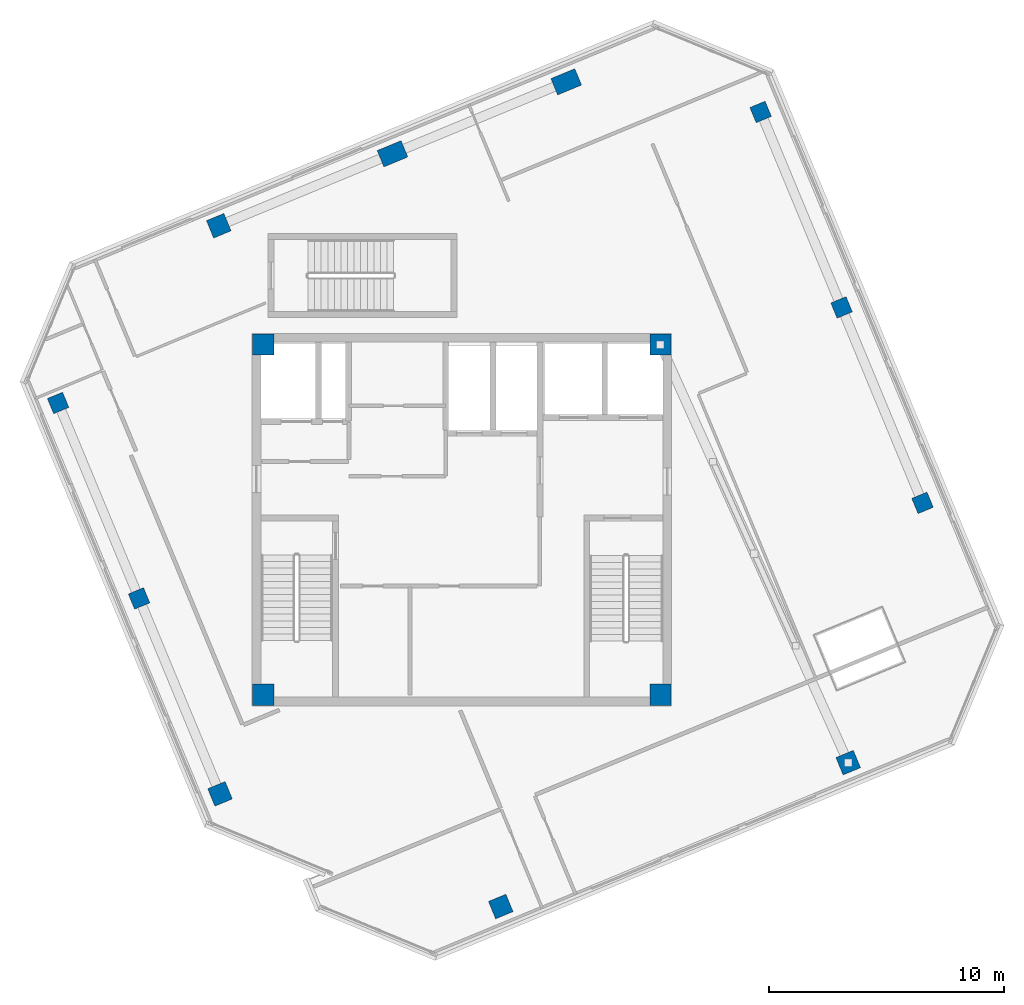
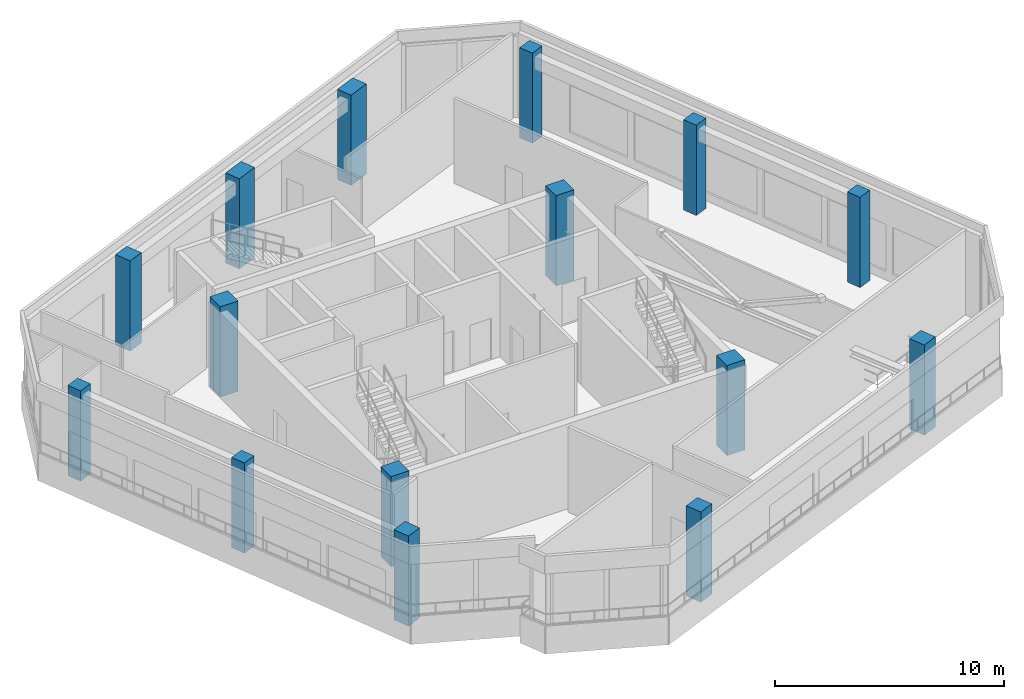
# One storey, part 1 of 17: 15 columns.
"""IFC4 building model written with IfcOpenShell, lengths in metres."""

import ifcopenshell
import ifcopenshell.guid

model = None  # the IFC model being written
_history = None  # IfcOwnerHistory: only IFC2X3 demands one
_inside = {}  # id of a spatial element -> (the spatial element, [elements in it])
_under = {}  # id of a project, library or spatial element -> (it, [spatial elements below it])
_declared = {}  # id of a project -> (the project, [libraries it declares])
_typed = {}  # id of a type object -> (the type object, [elements of that type])
_made_of = {}  # id of a material, layer set ... -> (it, [elements and type objects made of it])


def new_model(schema):
    """Start an empty IFC model of exactly this schema.

    Asked for "IFC4X3", IfcOpenShell would pick the latest addendum, in which some entities
    have other attributes; the version numbers below select the first issue.
    IFC2X3 requires an IfcOwnerHistory on every rooted entity: one is made here for all.
    """
    global model, _history
    if schema == "IFC4X3":
        model = ifcopenshell.file(schema_version=(4, 3, 0, 0))
    else:
        model = ifcopenshell.file(schema=schema)
    _inside.clear()
    _under.clear()
    _declared.clear()
    _typed.clear()
    _made_of.clear()
    _history = None
    if model.schema == "IFC2X3":
        org = make("IfcOrganization", Name="unknown")
        user = make(
            "IfcPersonAndOrganization",
            ThePerson=make("IfcPerson", FamilyName="unknown"),
            TheOrganization=org,
        )
        app = make(
            "IfcApplication",
            ApplicationDeveloper=org,
            Version="unknown",
            ApplicationFullName="unknown",
            ApplicationIdentifier="unknown",
        )
        _history = make(
            "IfcOwnerHistory",
            OwningUser=user,
            OwningApplication=app,
            ChangeAction="ADDED",
            CreationDate=0,
        )
    return model


def make(cls, **values):
    """One entity of the class cls with the attributes given. An attribute that is None is left unset."""
    return model.create_entity(
        cls, **{name: value for name, value in values.items() if value is not None}
    )


def rooted(cls, **values):
    """An entity with a GlobalId (a new one), such as an element, a storey or a relation."""
    return make(cls, GlobalId=ifcopenshell.guid.new(), OwnerHistory=_history, **values)


def si_unit(unit_type, name, prefix=None):
    """IfcSIUnit, for example si_unit("LENGTHUNIT", "METRE", prefix="MILLI")."""
    return make("IfcSIUnit", UnitType=unit_type, Prefix=prefix, Name=name)


def assignment(units):
    """IfcUnitAssignment: the units of a project."""
    return None if units is None else make("IfcUnitAssignment", Units=units)


def point(xyz):
    """IfcCartesianPoint."""
    return None if xyz is None else make("IfcCartesianPoint", Coordinates=xyz)


def direction(xyz):
    """IfcDirection."""
    return None if xyz is None else make("IfcDirection", DirectionRatios=xyz)


def frame(location, z_axis=None, x_axis=None):
    """IfcAxis2Placement3D, a coordinate frame: its origin and axes. An axis left out is left unset."""
    return make(
        "IfcAxis2Placement3D",
        Location=point(location),
        Axis=direction(z_axis),
        RefDirection=direction(x_axis),
    )


def frame_2d(location, x_axis=None):
    """IfcAxis2Placement2D, a coordinate frame in the plane: its origin and x axis."""
    return make(
        "IfcAxis2Placement2D", Location=point(location), RefDirection=direction(x_axis)
    )


def origin():
    """The frame at (0, 0, 0) with its axes left unset."""
    return frame((0.0, 0.0, 0.0))


def origin_2d():
    """The frame at (0, 0) in the plane with its x axis left unset."""
    return frame_2d((0.0, 0.0))


def place(relative_to, where):
    """IfcLocalPlacement: puts the frame where relative to a parent placement (None: the world)."""
    return make(
        "IfcLocalPlacement", PlacementRelTo=relative_to, RelativePlacement=where
    )


def context(
    kind, dimensions, precision=None, world=None, true_north=None, identifier=None
):
    """IfcGeometricRepresentationContext, for example the 3D "Model" context."""
    return make(
        "IfcGeometricRepresentationContext",
        ContextIdentifier=identifier,
        ContextType=kind,
        CoordinateSpaceDimension=dimensions,
        Precision=precision,
        WorldCoordinateSystem=world,
        TrueNorth=true_north,
    )


def subcontext(parent, identifier, kind, view, scale=None):
    """IfcGeometricRepresentationSubContext, for example "Body" below "Model"."""
    return make(
        "IfcGeometricRepresentationSubContext",
        ContextIdentifier=identifier,
        ContextType=kind,
        ParentContext=parent,
        TargetScale=scale,
        TargetView=view,
    )


def project(units=None, contexts=None):
    """IfcProject with its units and contexts."""
    return rooted(
        "IfcProject",
        Name="project",
        RepresentationContexts=contexts,
        UnitsInContext=assignment(units),
    )


def spatial(cls, under=None, at=None, **own):
    """A site, building, storey or space (cls), placed at a placement, below another one or the project."""
    s = rooted(cls, ObjectPlacement=at, **own)
    if under is not None:
        _under.setdefault(under.id(), (under, []))[1].append(s)
    return s


def profile(cls, at=None, kind="AREA", **sizes):
    """A parametric profile (cls). Its sizes go by their IFC names, for example OverallWidth=200.0."""
    return make(cls, ProfileType=kind, Position=at, **sizes)


def rectangle(**sizes):
    """IfcRectangleProfileDef."""
    return profile("IfcRectangleProfileDef", **sizes)


def extrude(swept, where, along, depth):
    """IfcExtrudedAreaSolid: the profile swept, set in the frame where, extruded along a direction by depth."""
    return make(
        "IfcExtrudedAreaSolid",
        SweptArea=swept,
        Position=where,
        ExtrudedDirection=direction(along),
        Depth=depth,
    )


def shape(context_of_items, identifier, shape_type, items):
    """IfcShapeRepresentation: the items that make up one representation, for example the "Body"."""
    return make(
        "IfcShapeRepresentation",
        ContextOfItems=context_of_items,
        RepresentationIdentifier=identifier,
        RepresentationType=shape_type,
        Items=items,
    )


def source(mapping_origin, context_of_items, identifier, shape_type, items):
    """IfcRepresentationMap: a shape defined once, which mapped items show again and again."""
    return make(
        "IfcRepresentationMap",
        MappingOrigin=mapping_origin,
        MappedRepresentation=shape(context_of_items, identifier, shape_type, items),
    )


def transform(
    local_origin,
    x_axis=None,
    y_axis=None,
    z_axis=None,
    scale=None,
    scale2=None,
    scale3=None,
    uniform=True,
):
    """IfcCartesianTransformationOperator3D, or its non-uniform kind. x_axis, y_axis, z_axis: its Axis1, 2, 3."""
    if uniform:
        return make(
            "IfcCartesianTransformationOperator3D",
            Axis1=direction(x_axis),
            Axis2=direction(y_axis),
            LocalOrigin=point(local_origin),
            Scale=scale,
            Axis3=direction(z_axis),
        )
    return make(
        "IfcCartesianTransformationOperator3DnonUniform",
        Axis1=direction(x_axis),
        Axis2=direction(y_axis),
        LocalOrigin=point(local_origin),
        Scale=scale,
        Axis3=direction(z_axis),
        Scale2=scale2,
        Scale3=scale3,
    )


def mapped(mapping_source, mapping_target):
    """IfcMappedItem: shows the shape of a source again, moved by a transform."""
    return make(
        "IfcMappedItem", MappingSource=mapping_source, MappingTarget=mapping_target
    )


def material(Name=None, Category=None):
    """IfcMaterial."""
    return make("IfcMaterial", Name=Name, Category=Category)


def material_profile(
    of_material, cross_section, Name=None, Category=None, Priority=None
):
    """IfcMaterialProfile: a cross section and its material."""
    return make(
        "IfcMaterialProfile",
        Name=Name,
        Material=of_material,
        Profile=cross_section,
        Priority=Priority,
        Category=Category,
    )


def profile_set(profiles, Name=None, composite=None):
    """IfcMaterialProfileSet."""
    return make(
        "IfcMaterialProfileSet",
        Name=Name,
        MaterialProfiles=profiles,
        CompositeProfile=composite,
    )


def made_of(thing, what):
    """Note that an element or type object is made of a material, layer set ...; save() writes the relation."""
    if what is not None:
        _made_of.setdefault(what.id(), (what, []))[1].append(thing)
    return thing


def type_object(cls, material=None, **own):
    """A type object (cls), such as IfcWallType, which elements share."""
    return made_of(rooted(cls, **own), material)


def element(
    cls,
    number,
    at=None,
    inside=None,
    cuts=None,
    type_object=None,
    material=None,
    context=None,
    identifier="Body",
    shape_type=None,
    held_by="IfcProductDefinitionShape",
    body=None,
    shapes=None,
    **own,
):
    """One element of the class cls, such as IfcWall. Its Tag is "e" and its number.

    at: its placement. inside: the storey or other place that contains it. cuts: it is an
    opening in that element (IfcRelVoidsElement). A single representation is given by context,
    identifier, shape_type and body (its items); several are given by shapes. held_by: the class
    of the entity that holds the representations. save() writes the other relations.
    """
    e = rooted(cls, Tag="e%d" % number, ObjectPlacement=at, **own)
    if body is not None:
        shapes = [shape(context, identifier, shape_type, body)]
    if shapes is not None:
        e.Representation = make(held_by, Representations=shapes)
    if inside is not None:
        _inside.setdefault(inside.id(), (inside, []))[1].append(e)
    if cuts is not None:
        rooted(
            "IfcRelVoidsElement", RelatingBuildingElement=cuts, RelatedOpeningElement=e
        )
    if type_object is not None:
        _typed.setdefault(type_object.id(), (type_object, []))[1].append(e)
    return made_of(e, material)


def aggregate(whole, parts):
    """IfcRelAggregates: a whole, such as a stair, and the parts it consists of."""
    return rooted("IfcRelAggregates", RelatingObject=whole, RelatedObjects=parts)


def save(model, path):
    """Write the relations noted so far, then the file.

    IfcRelAggregates (storeys below a building ...), IfcRelContainedInSpatialStructure (elements
    in a storey), IfcRelDefinesByType, IfcRelAssociatesMaterial and IfcRelDeclares: one each for
    every whole, place, type object, material and project.
    """
    for whole, parts in _under.values():
        aggregate(whole, parts)
    for where, things in _inside.values():
        rooted(
            "IfcRelContainedInSpatialStructure",
            RelatedElements=things,
            RelatingStructure=where,
        )
    for kind, things in _typed.values():
        rooted("IfcRelDefinesByType", RelatedObjects=things, RelatingType=kind)
    for what, things in _made_of.values():
        rooted("IfcRelAssociatesMaterial", RelatedObjects=things, RelatingMaterial=what)
    for by, libraries in _declared.values():
        rooted("IfcRelDeclares", RelatingContext=by, RelatedDefinitions=libraries)
    model.write(path)


model = new_model("IFC4")

# Units and contexts
model_context = context("Model", 3, precision=1e-05, world=origin(), true_north=direction((0.0, 1.0)))
body_context = subcontext(model_context, "Body", "Model", "MODEL_VIEW")
ifc_project = project(units=[si_unit("LENGTHUNIT", "METRE"), si_unit("AREAUNIT", "SQUARE_METRE"), si_unit("VOLUMEUNIT", "CUBIC_METRE"), si_unit("PLANEANGLEUNIT", "RADIAN"), si_unit("MASSUNIT", "GRAM", prefix="KILO")], contexts=[model_context])

# Site, building, storey
site_placement = place(None, origin())
site = spatial("IfcSite", under=ifc_project, at=site_placement, CompositionType="ELEMENT")
building_placement = place(site_placement, origin())
building = spatial("IfcBuilding", under=site, at=building_placement, Name="Torre Montelarca", CompositionType="ELEMENT")
storey_placement = place(building_placement, frame((0.0, 0.0, 355.199951171875)))
storey = spatial("IfcBuildingStorey", under=building, at=storey_placement, Name="L80", CompositionType="ELEMENT", Elevation=355.199951171875)

# Columns
ifc_material_1 = material(Name="Concrete C55/67", Category="concrete")
ifc_material_profile_1 = material_profile(ifc_material_1, rectangle(XDim=0.89990234375, YDim=0.89990234375, at=origin_2d()), Name="RC900X900", Category="concrete")
ifc_profile_set_1 = profile_set([ifc_material_profile_1], Name="Concrete C55/67")
column_type_1 = type_object("IfcColumnType", Name="COL-RC900", PredefinedType="COLUMN", material=ifc_profile_set_1)
shared_shape_1 = source(origin(), body_context, "Body", "SweptSolid", [
    extrude(rectangle(XDim=0.89990234375, YDim=0.89990234375, at=origin_2d()), origin(), (0.0, 0.0, 1.0), 4.798583984375),
])
for number, where, z_axis, x_axis, name in (
    (1, (9.550048828125, 24.550048828125, 0.000732421875), (0.0, 0.0, 1.0), (1.0, 0.0, 0.0), "L80 Plumb Core Corner Column 2D"),
    (2, (26.449951171875, 24.550048828125, 0.000732421875), (0.0, 0.0, 1.0), (1.0, 0.0, 0.0), "L80 Plumb Core Corner Column 4D"),
    (3, (9.550048828125, 39.449951171875, 0.000732421875), (0.0, 0.0, 1.0), (1.0, 0.0, 0.0), "L80 Plumb Core Corner Column 2F"),
    (4, (26.449951171875, 39.449951171875, 0.000732421875), (0.0, 0.0, 1.0), (1.0, 0.0, 0.0), "L80 Plumb Core Corner Column 4F"),
):
    element("IfcColumn", number, at=place(storey_placement, frame(where, z_axis=z_axis, x_axis=x_axis)), inside=storey, type_object=column_type_1, Name=name, PredefinedType="COLUMN", context=body_context, shape_type="MappedRepresentation", body=[
        mapped(shared_shape_1, transform((0.0, 0.0, 0.0), scale=1.0)),
    ])
ifc_material_2 = material(Name="Concrete C40/50", Category="concrete")
ifc_material_profile_2 = material_profile(ifc_material_2, rectangle(XDim=0.699951171875, YDim=0.699951171875, at=origin_2d()), Name="RC700X700", Category="concrete")
ifc_profile_set_2 = profile_set([ifc_material_profile_2], Name="Concrete C40/50")
column_type_2 = type_object("IfcColumnType", Name="COL-RC700-EXT", PredefinedType="COLUMN", material=ifc_profile_set_2)
shared_shape_2 = source(origin(), body_context, "Body", "SweptSolid", [
    extrude(rectangle(XDim=0.699951171875, YDim=0.699951171875, at=origin_2d()), origin(), (0.0, 0.0, 1.0), 4.798583984375),
])
for number, where, z_axis, x_axis, name in (
    (5, (0.82568359375, 36.96630859375, 0.000732421875), (0.0, 0.0, 1.0), (-0.382683432365, 0.923879532511, 0.0), "L80 Column 2/CS"),
    (6, (30.713134765625, 49.34619140625, 0.000732421875), (0.0, 0.0, 1.0), (-0.382683432365, 0.923879532511, 0.0), "L80 Column 2/GN"),
    (7, (4.27001953125, 28.6513671875, 0.000732421875), (0.0, 0.0, 1.0), (-0.382683432365, 0.923879532511, 0.0), "L80 Column 3/CS"),
    (8, (34.157470703125, 41.03125, 0.000732421875), (0.0, 0.0, 1.0), (-0.382683432365, 0.923879532511, 0.0), "L80 Column 3/GN"),
    (9, (37.6015625, 32.71630859375, 0.000732421875), (0.0, 0.0, 1.0), (-0.382683432365, 0.923879532511, 0.0), "L80 Column 4/GN"),
):
    element("IfcColumn", number, at=place(storey_placement, frame(where, z_axis=z_axis, x_axis=x_axis)), inside=storey, type_object=column_type_2, Name=name, PredefinedType="COLUMN", context=body_context, shape_type="MappedRepresentation", body=[
        mapped(shared_shape_2, transform((0.0, 0.0, 0.0), scale=1.0)),
    ])
ifc_material_profile_3 = material_profile(ifc_material_2, rectangle(XDim=0.800048828125, YDim=0.800048828125, at=origin_2d()), Name="RC800X800", Category="concrete")
ifc_profile_set_3 = profile_set([ifc_material_profile_3], Name="Concrete C40/50")
column_type_3 = type_object("IfcColumnType", Name="COL-RC800-EXT", PredefinedType="COLUMN", material=ifc_profile_set_3)
shared_shape_3 = source(origin(), body_context, "Body", "SweptSolid", [
    extrude(rectangle(XDim=0.800048828125, YDim=0.800048828125, at=origin_2d()), origin(), (0.0, 0.0, 1.0), 4.798583984375),
])
for number, where, z_axis, x_axis, name in (
    (10, (7.714111328125, 20.33642578125, 0.000732421875), (0.0, 0.0, 1.0), (-0.382683432365, 0.923879532511, 0.0), "L80 Column 4/CS"),
    (11, (19.657958984375, 15.542236328125, 0.000732421875), (0.0, 0.0, 1.0), (-0.382683432365, 0.923879532511, 0.0), "L80 Column 5/D"),
    (12, (34.43994140625, 21.665283203125, 0.000732421875), (0.0, 0.0, 1.0), (-0.382683432365, 0.923879532511, 0.0), "L80 Column 5/F"),
    (13, (7.66064453125, 44.505859375, 0.000732421875), (0.0, 0.0, 1.0), (-0.382683432365, 0.923879532511, 0.0), "L80 Column 1W/D"),
):
    element("IfcColumn", number, at=place(storey_placement, frame(where, z_axis=z_axis, x_axis=x_axis)), inside=storey, type_object=column_type_3, Name=name, PredefinedType="COLUMN", context=body_context, shape_type="MappedRepresentation", body=[
        mapped(shared_shape_3, transform((0.0, 0.0, 0.0), scale=1.0)),
    ])
ifc_material_profile_4 = material_profile(ifc_material_2, rectangle(XDim=0.75, YDim=1.10009765625, at=origin_2d()), Name="RC1100X750", Category="concrete")
ifc_profile_set_4 = profile_set([ifc_material_profile_4], Name="Concrete C40/50")
column_type_4 = type_object("IfcColumnType", Name="COL-PIL1100-EXT", PredefinedType="PILASTER", material=ifc_profile_set_4)
shared_shape_4 = source(origin(), body_context, "Body", "SweptSolid", [
    extrude(rectangle(XDim=0.75, YDim=1.10009765625, at=origin_2d()), origin(), (0.0, 0.0, 1.0), 4.798583984375),
])
for number, where, z_axis, x_axis, name in (
    (14, (15.0517578125, 47.5673828125, 0.000732421875), (0.0, 0.0, 1.0), (-0.382683432365, 0.923879532511, 0.0), "L80 Column 1W/E"),
    (15, (22.44287109375, 50.62890625, 0.000732421875), (0.0, 0.0, 1.0), (-0.382683432365, 0.923879532511, 0.0), "L80 Column 1W/F"),
):
    element("IfcColumn", number, at=place(storey_placement, frame(where, z_axis=z_axis, x_axis=x_axis)), inside=storey, type_object=column_type_4, Name=name, PredefinedType="PILASTER", context=body_context, shape_type="MappedRepresentation", body=[
        mapped(shared_shape_4, transform((0.0, 0.0, 0.0), scale=1.0)),
    ])

save(model, "model.ifc")
